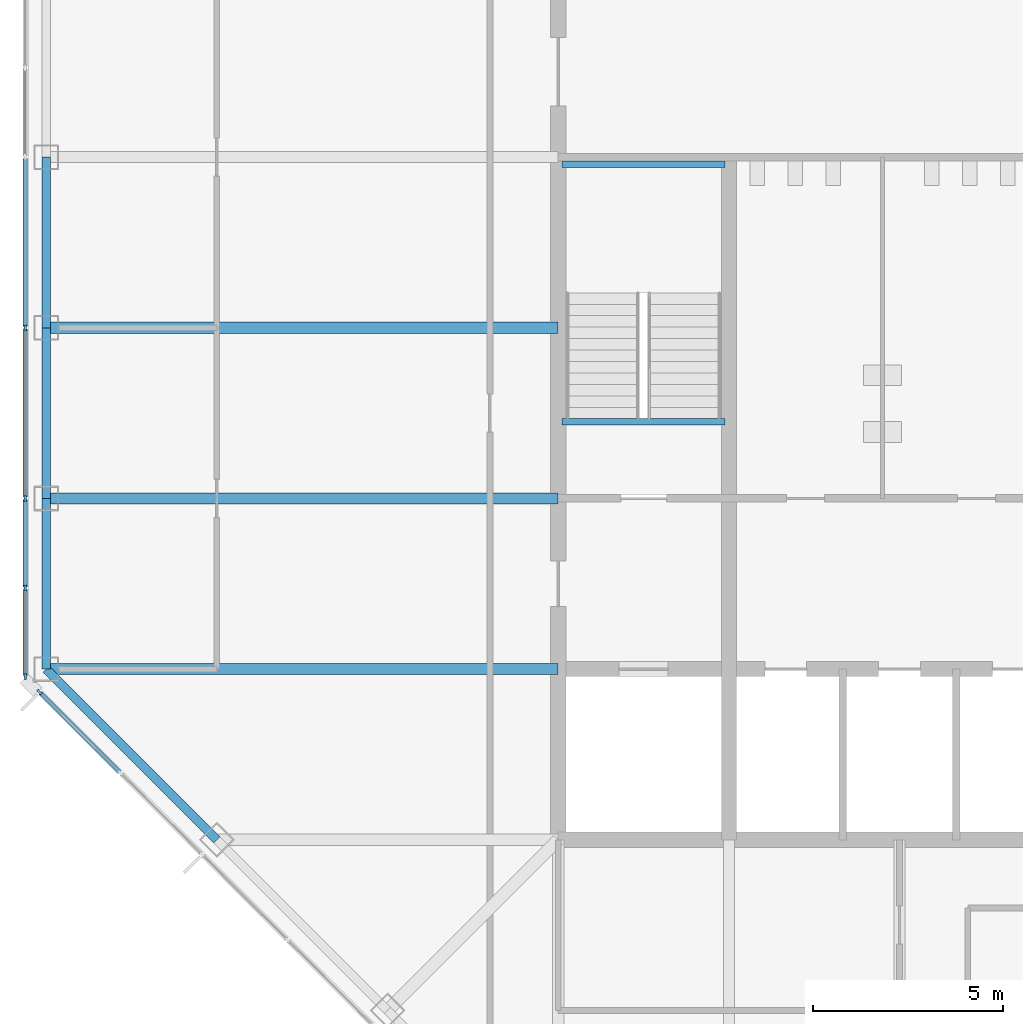
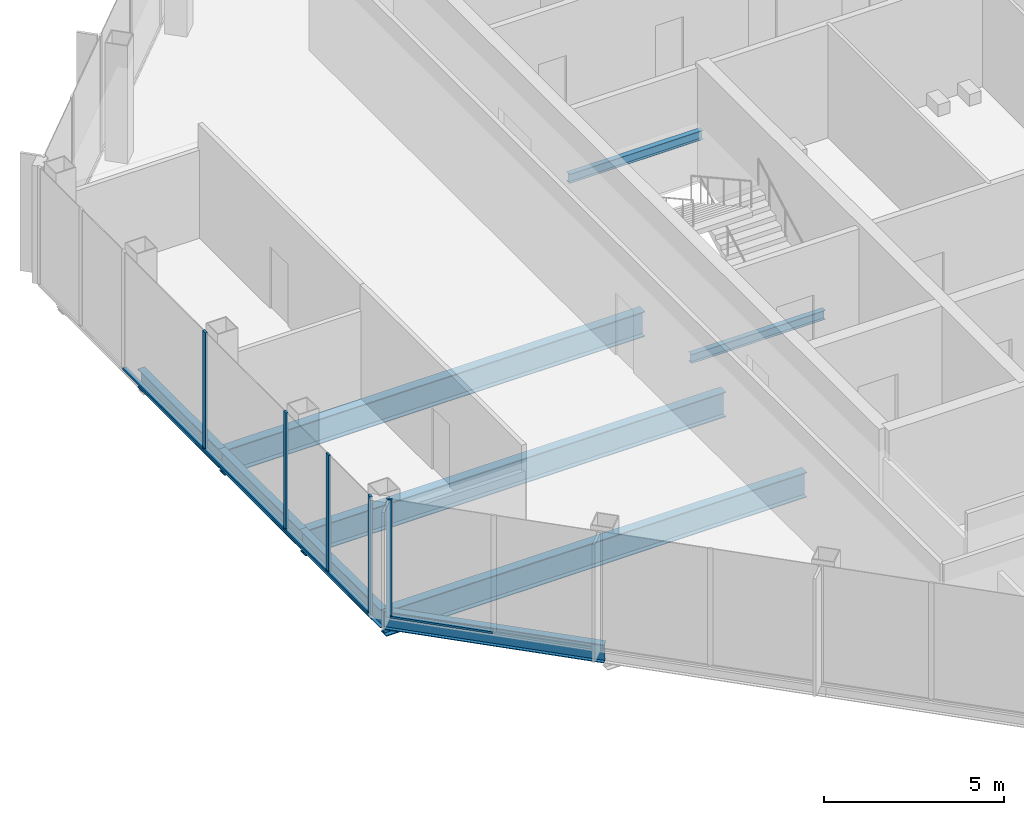
# One storey, part 3 of 13: 10 members, 9 beams, 2 elements without a shape of their own.
"""IFC4 building model written with IfcOpenShell, lengths in metres."""

from ifc_helpers import new_model, si_unit, direction, frame, origin, origin_2d, place, context, subcontext, project, spatial, rectangle, i_section, extrude, material, material_profile, profile_set, type_object, element, aggregate, save


model = new_model("IFC4")

# Units and contexts
model_context = context("Model", 3, precision=1e-05, world=origin(), true_north=direction((0.0, 1.0)))
body_context = subcontext(model_context, "Body", "Model", "MODEL_VIEW")
ifc_project = project(units=[si_unit("LENGTHUNIT", "METRE"), si_unit("AREAUNIT", "SQUARE_METRE"), si_unit("VOLUMEUNIT", "CUBIC_METRE"), si_unit("PLANEANGLEUNIT", "RADIAN"), si_unit("MASSUNIT", "GRAM", prefix="KILO")], contexts=[model_context])

# Site, building, storey
site_placement = place(None, origin())
site = spatial("IfcSite", under=ifc_project, at=site_placement, CompositionType="ELEMENT")
building_placement = place(site_placement, origin())
building = spatial("IfcBuilding", under=site, at=building_placement, Name="Corais Broadcast Tower", CompositionType="ELEMENT")
storey_placement = place(building_placement, frame((0.0, 0.0, 226.60009765625)))
storey = spatial("IfcBuildingStorey", under=building, at=storey_placement, Name="L52", CompositionType="ELEMENT", Elevation=226.60009765625)

# Beams
ifc_material_1 = material(Name="Steel ASTM A572 Grade 50", Category="steel")
ifc_material_profile_1 = material_profile(ifc_material_1, i_section(OverallWidth=0.2939453125, OverallDepth=0.85107421875, WebThickness=0.01611328125, FlangeThickness=0.02685546875, at=origin_2d()), Name="W840x226")
ifc_profile_set_1 = profile_set([ifc_material_profile_1], Name="Steel ASTM A572 Grade 50")
beam_type_1 = type_object("IfcBeamType", Name="Floor beam W840x226", PredefinedType="BEAM", material=ifc_profile_set_1)
for number, where, z_axis, x_axis, name in (
    (1, (0.0, 18.0, -0.585693359375), (1.0, 0.0, 0.0), (0.0, 1.0, 0.0), "B1 E/3 to E/6"),
    (2, (0.0, 22.5, -0.585693359375), (1.0, 0.0, 0.0), (0.0, 1.0, 0.0), "B1 F/3 to F/6"),
    (3, (0.0, 27.0, -0.585693359375), (1.0, 0.0, 0.0), (0.0, 1.0, 0.0), "B1 G/3 to G/6"),
):
    element("IfcBeam", number, at=place(storey_placement, frame(where, z_axis=z_axis, x_axis=x_axis)), inside=storey, type_object=beam_type_1, Name=name, PredefinedType="BEAM", context=body_context, shape_type="SweptSolid", body=[
        extrude(i_section(OverallWidth=0.2939453125, OverallDepth=0.85107421875, WebThickness=0.01611328125, FlangeThickness=0.02685546875, at=origin_2d()), origin(), (0.0, 0.0, 1.0), 13.5),
    ])
ifc_material_2 = material(Name="Steel ASTM A572 Grade 50", Category="steel")
ifc_material_profile_2 = material_profile(ifc_material_2, i_section(OverallWidth=0.1650390625, OverallDepth=0.31005859375, WebThickness=0.005859375, FlangeThickness=0.009765625, at=origin_2d()), Name="W310x38.7")
ifc_profile_set_2 = profile_set([ifc_material_profile_2], Name="Steel ASTM A572 Grade 50")
beam_type_2 = type_object("IfcBeamType", Name="Landing trimmer W310x38.7", PredefinedType="BEAM", material=ifc_profile_set_2)
for number, where, z_axis, x_axis, name in (
    (4, (13.60009765625, 24.52490234375, -0.35498046875), (1.0, 0.0, 0.0), (0.0, 1.0, 0.0), "LT1 stair A landing trimmer L52"),
    (5, (13.60009765625, 31.31005859375, 1.64501953125), (1.0, 0.0, 0.0), (0.0, 1.0, 0.0), "LT1 stair A half landing trimmer L52"),
):
    element("IfcBeam", number, at=place(storey_placement, frame(where, z_axis=z_axis, x_axis=x_axis)), inside=storey, type_object=beam_type_2, Name=name, PredefinedType="BEAM", context=body_context, shape_type="SweptSolid", body=[
        extrude(i_section(OverallWidth=0.1650390625, OverallDepth=0.31005859375, WebThickness=0.005859375, FlangeThickness=0.009765625, at=origin_2d()), origin(), (0.0, 0.0, 1.0), 4.2998046875),
    ])

# Curtain wall, member
ifc_material_3 = material(Name="Aluminium and glass", Category="aluminium")
curtain_wall_type = type_object("IfcCurtainWallType", Name="Unitised fritted curtain wall CW3", PredefinedType="NOTDEFINED", material=ifc_material_3)
curtain_wall_1_placement = place(storey_placement, origin())
curtain_wall_1 = element("IfcCurtainWall", 6, at=curtain_wall_1_placement, inside=storey, type_object=curtain_wall_type, Name="CW3 curtain wall L52 1", PredefinedType="NOTDEFINED")
ifc_material_4 = material(Name="Aluminium 6063-T6", Category="aluminium")
ifc_material_profile_3 = material_profile(ifc_material_4, rectangle(XDim=0.06494140625, YDim=0.159912109375, at=origin_2d()), Name="Mullion CW3 65x160")
ifc_profile_set_3 = profile_set([ifc_material_profile_3], Name="Aluminium 6063-T6")
member_type_1 = type_object("IfcMemberType", Name="Mullion CW3 65x160", PredefinedType="MULLION", material=ifc_profile_set_3)
member_1_placement = place(storey_placement, frame((-0.17333984375, 17.3955078125, 0.0), z_axis=(0.0, 0.0, 1.0), x_axis=(-0.707106781187, -0.707106781187, 0.0)))
member_1 = element("IfcMember", 7, at=member_1_placement, type_object=member_type_1, Name="CW3 mullion 9", PredefinedType="MULLION", context=body_context, shape_type="SweptSolid", body=[
    extrude(rectangle(XDim=0.06494140625, YDim=0.159912109375, at=origin_2d()), origin(), (0.0, 0.0, 1.0), 4.0),
])

# Curtain wall, members
curtain_wall_2_placement = place(storey_placement, origin())
curtain_wall_2 = element("IfcCurtainWall", 8, at=curtain_wall_2_placement, inside=storey, type_object=curtain_wall_type, Name="CW3 curtain wall L52 2", PredefinedType="NOTDEFINED")
member_2_placement = place(storey_placement, frame((-0.550048828125, 17.8046875, 0.0), z_axis=(0.0, 0.0, 1.0), x_axis=(-1.0, 0.0, 0.0)))
member_2 = element("IfcMember", 9, at=member_2_placement, type_object=member_type_1, Name="CW3 mullion 1", PredefinedType="MULLION", context=body_context, shape_type="SweptSolid", body=[
    extrude(rectangle(XDim=0.06494140625, YDim=0.159912109375, at=origin_2d()), origin(), (0.0, 0.0, 1.0), 4.0),
])
member_3_placement = place(storey_placement, frame((-0.550048828125, 20.135986328125, 0.0), z_axis=(0.0, 0.0, 1.0), x_axis=(-1.0, 0.0, 0.0)))
member_3 = element("IfcMember", 10, at=member_3_placement, type_object=member_type_1, Name="CW3 mullion 2", PredefinedType="MULLION", context=body_context, shape_type="SweptSolid", body=[
    extrude(rectangle(XDim=0.06494140625, YDim=0.159912109375, at=origin_2d()), origin(), (0.0, 0.0, 1.0), 4.0),
])
member_4_placement = place(storey_placement, frame((-0.550048828125, 22.5, 0.0), z_axis=(0.0, 0.0, 1.0), x_axis=(-1.0, 0.0, 0.0)))
member_4 = element("IfcMember", 11, at=member_4_placement, type_object=member_type_1, Name="CW3 mullion 3", PredefinedType="MULLION", context=body_context, shape_type="SweptSolid", body=[
    extrude(rectangle(XDim=0.06494140625, YDim=0.159912109375, at=origin_2d()), origin(), (0.0, 0.0, 1.0), 4.0),
])
member_5_placement = place(storey_placement, frame((-0.550048828125, 27.0, 0.0), z_axis=(0.0, 0.0, 1.0), x_axis=(-1.0, 0.0, 0.0)))
member_5 = element("IfcMember", 12, at=member_5_placement, type_object=member_type_1, Name="CW3 mullion 4", PredefinedType="MULLION", context=body_context, shape_type="SweptSolid", body=[
    extrude(rectangle(XDim=0.06494140625, YDim=0.159912109375, at=origin_2d()), origin(), (0.0, 0.0, 1.0), 4.0),
])

# Beams
ifc_material_5 = material(Name="Steel ASTM A572 Grade 50", Category="steel")
ifc_material_profile_4 = material_profile(ifc_material_5, i_section(OverallWidth=0.22998046875, OverallDepth=0.616943359375, WebThickness=0.01318359375, FlangeThickness=0.022216796875, at=origin_2d()), Name="W610x140")
ifc_profile_set_4 = profile_set([ifc_material_profile_4], Name="Steel ASTM A572 Grade 50")
beam_type_3 = type_object("IfcBeamType", Name="Spandrel W610x140", PredefinedType="BEAM", material=ifc_profile_set_4)
beam_placement = place(storey_placement, frame((0.0, 18.0, -0.468505859375), z_axis=(0.707106781187, -0.707106781187, 0.0), x_axis=(0.707106781187, 0.707106781187, 0.0)))
element("IfcBeam", 13, at=beam_placement, inside=storey, type_object=beam_type_3, Name="SB3 E/3 to D/4", PredefinedType="BEAM", context=body_context, shape_type="SweptSolid", body=[
    extrude(i_section(OverallWidth=0.22998046875, OverallDepth=0.616943359375, WebThickness=0.01318359375, FlangeThickness=0.022216796875, at=origin_2d()), origin(), (0.0, 0.0, 1.0), 6.364013671875),
])
for number, where, z_axis, x_axis, name in (
    (14, (0.0, 22.5, -0.468505859375), (0.0, -1.0, 0.0), (1.0, 0.0, 0.0), "SB3 F/3 to E/3"),
    (15, (0.0, 27.0, -0.468505859375), (0.0, -1.0, 0.0), (1.0, 0.0, 0.0), "SB3 G/3 to F/3"),
    (16, (0.0, 31.5, -0.468505859375), (0.0, -1.0, 0.0), (1.0, 0.0, 0.0), "SB3 H/3 to G/3"),
):
    element("IfcBeam", number, at=place(storey_placement, frame(where, z_axis=z_axis, x_axis=x_axis)), inside=storey, type_object=beam_type_3, Name=name, PredefinedType="BEAM", context=body_context, shape_type="SweptSolid", body=[
        extrude(i_section(OverallWidth=0.22998046875, OverallDepth=0.616943359375, WebThickness=0.01318359375, FlangeThickness=0.022216796875, at=origin_2d()), origin(), (0.0, 0.0, 1.0), 4.5),
    ])

# Member
ifc_material_6 = material(Name="Aluminium 6063-T6", Category="aluminium")
ifc_material_profile_5 = material_profile(ifc_material_6, rectangle(XDim=0.1201171875, YDim=0.06494140625, at=origin_2d()), Name="Transom CW3 65x120")
ifc_profile_set_5 = profile_set([ifc_material_profile_5], Name="Aluminium 6063-T6")
member_type_2 = type_object("IfcMemberType", Name="Transom CW3 65x120", PredefinedType="USERDEFINED", material=ifc_profile_set_5)
member_6_placement = place(storey_placement, frame((1.934326171875, 15.287841796875, 0.032470703125), z_axis=(-0.707106781187, 0.707106781187, 0.0), x_axis=(-0.707106781187, -0.707106781187, 0.0)))
member_6 = element("IfcMember", 17, at=member_6_placement, type_object=member_type_2, Name="CW3 transom 8.1", ObjectType="TRANSOM", PredefinedType="USERDEFINED", context=body_context, shape_type="SweptSolid", body=[
    extrude(rectangle(XDim=0.1201171875, YDim=0.06494140625, at=origin_2d()), origin(), (0.0, 0.0, 1.0), 2.9482421875),
])

aggregate(curtain_wall_1, [member_1, member_6])

member_7_placement = place(storey_placement, frame((-0.550048828125, 17.837158203125, 0.032470703125), z_axis=(0.0, 1.0, 0.0), x_axis=(-1.0, 0.0, 0.0)))
member_7 = element("IfcMember", 18, at=member_7_placement, type_object=member_type_2, Name="CW3 transom 1.1", ObjectType="TRANSOM", PredefinedType="USERDEFINED", context=body_context, shape_type="SweptSolid", body=[
    extrude(rectangle(XDim=0.1201171875, YDim=0.06494140625, at=origin_2d()), origin(), (0.0, 0.0, 1.0), 2.266357421875),
])

member_8_placement = place(storey_placement, frame((-0.550048828125, 20.168701171875, 0.032470703125), z_axis=(0.0, 1.0, 0.0), x_axis=(-1.0, 0.0, 0.0)))
member_8 = element("IfcMember", 19, at=member_8_placement, type_object=member_type_2, Name="CW3 transom 2.1", ObjectType="TRANSOM", PredefinedType="USERDEFINED", context=body_context, shape_type="SweptSolid", body=[
    extrude(rectangle(XDim=0.1201171875, YDim=0.06494140625, at=origin_2d()), origin(), (0.0, 0.0, 1.0), 2.298828125),
])

member_9_placement = place(storey_placement, frame((-0.550048828125, 22.532470703125, 0.032470703125), z_axis=(0.0, 1.0, 0.0), x_axis=(-1.0, 0.0, 0.0)))
member_9 = element("IfcMember", 20, at=member_9_placement, type_object=member_type_2, Name="CW3 transom 3.1", ObjectType="TRANSOM", PredefinedType="USERDEFINED", context=body_context, shape_type="SweptSolid", body=[
    extrude(rectangle(XDim=0.1201171875, YDim=0.06494140625, at=origin_2d()), origin(), (0.0, 0.0, 1.0), 4.43505859375),
])

member_10_placement = place(storey_placement, frame((-0.550048828125, 27.032470703125, 0.032470703125), z_axis=(0.0, 1.0, 0.0), x_axis=(-1.0, 0.0, 0.0)))
member_10 = element("IfcMember", 21, at=member_10_placement, type_object=member_type_2, Name="CW3 transom 4.1", ObjectType="TRANSOM", PredefinedType="USERDEFINED", context=body_context, shape_type="SweptSolid", body=[
    extrude(rectangle(XDim=0.1201171875, YDim=0.06494140625, at=origin_2d()), origin(), (0.0, 0.0, 1.0), 4.43505859375),
])

aggregate(curtain_wall_2, [member_2, member_3, member_4, member_5, member_7, member_8, member_9, member_10])

save(model, "model.ifc")
